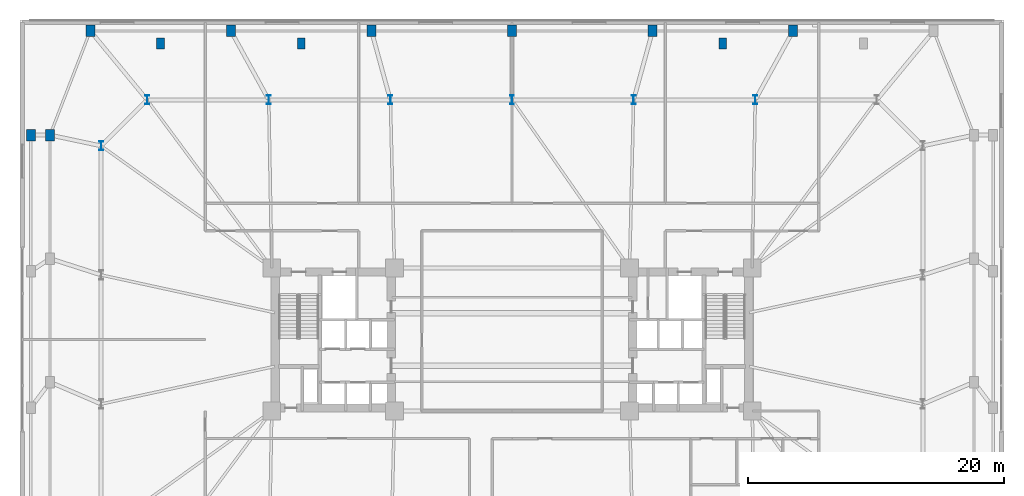
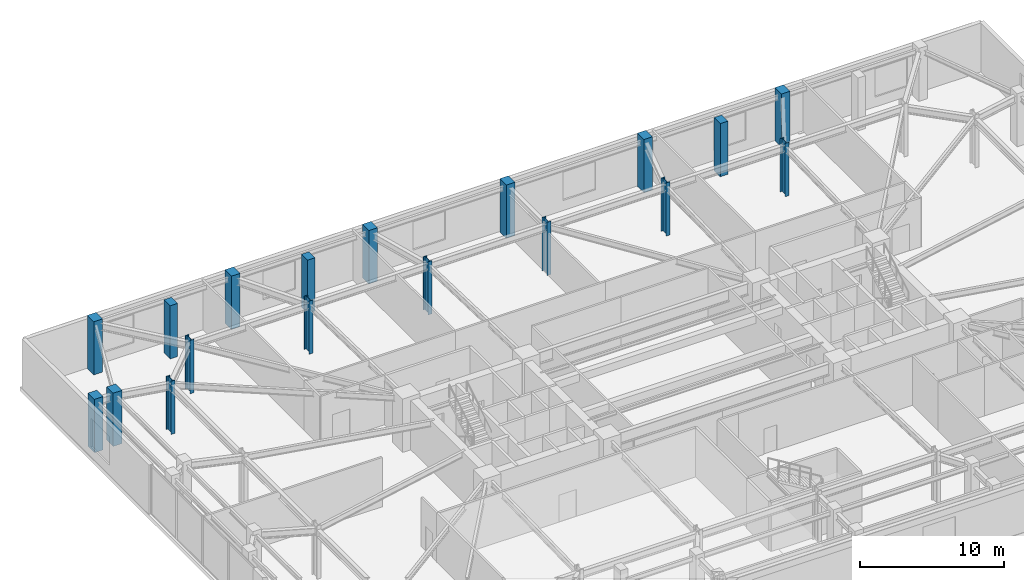
# One storey, part 2 of 23: 18 columns.
"""IFC4 building model written with IfcOpenShell, lengths in metres."""

from ifc_helpers import new_model, si_unit, direction, frame, origin, origin_2d, place, context, subcontext, project, spatial, rectangle, i_section, extrude, material, material_profile, profile_set, type_object, element, save


model = new_model("IFC4")

# Units and contexts
model_context = context("Model", 3, precision=1e-05, world=origin(), true_north=direction((0.0, 1.0)))
body_context = subcontext(model_context, "Body", "Model", "MODEL_VIEW")
ifc_project = project(units=[si_unit("LENGTHUNIT", "METRE"), si_unit("AREAUNIT", "SQUARE_METRE"), si_unit("VOLUMEUNIT", "CUBIC_METRE"), si_unit("PLANEANGLEUNIT", "RADIAN"), si_unit("MASSUNIT", "GRAM", prefix="KILO")], contexts=[model_context])

# Site, building, storey
site_placement = place(None, origin())
site = spatial("IfcSite", under=ifc_project, at=site_placement, CompositionType="ELEMENT")
building_placement = place(site_placement, origin())
building = spatial("IfcBuilding", under=site, at=building_placement, Name="Qobustan Lattice House", CompositionType="ELEMENT")
storey_placement = place(building_placement, frame((0.0, 0.0, 9.0)))
storey = spatial("IfcBuildingStorey", under=building, at=storey_placement, Name="L02", CompositionType="ELEMENT", Elevation=9.0)

# Columns
ifc_material_1 = material(Name="Concrete C50/60", Category="concrete")
ifc_material_profile_1 = material_profile(ifc_material_1, rectangle(XDim=0.60009765625, YDim=0.85009765625, at=origin_2d()), Name="RC600x850")
ifc_profile_set_1 = profile_set([ifc_material_profile_1], Name="Concrete C50/60")
column_type_1 = type_object("IfcColumnType", Name="COL-PIL-600x850", PredefinedType="PILASTER", material=ifc_profile_set_1)
for number, where, z_axis, x_axis, name in (
    (1, (-27.5, 23.14990234375, 0.0), (0.0, 0.0, 1.0), (1.0, 0.0, 0.0), "L02 colonnade pilaster N1"),
    (2, (-16.5, 23.14990234375, 0.0), (0.0, 0.0, 1.0), (1.0, 0.0, 0.0), "L02 colonnade pilaster N2"),
    (3, (16.5, 23.14990234375, 0.0), (0.0, 0.0, 1.0), (1.0, 0.0, 0.0), "L02 colonnade pilaster N3"),
):
    element("IfcColumn", number, at=place(storey_placement, frame(where, z_axis=z_axis, x_axis=x_axis)), inside=storey, type_object=column_type_1, Name=name, PredefinedType="PILASTER", context=body_context, shape_type="SweptSolid", body=[
        extrude(rectangle(XDim=0.60009765625, YDim=0.85009765625, at=origin_2d()), origin(), (0.0, 0.0, 1.0), 4.5),
    ])
ifc_material_2 = material(Name="Concrete C50/60", Category="concrete")
ifc_material_profile_2 = material_profile(ifc_material_2, rectangle(XDim=0.699951171875, YDim=0.89990234375, at=origin_2d()), Name="RC700x900")
ifc_profile_set_2 = profile_set([ifc_material_profile_2], Name="Concrete C50/60")
column_type_2 = type_object("IfcColumnType", Name="COL-RC-700x900", PredefinedType="COLUMN", material=ifc_profile_set_2)
for number, where, z_axis, x_axis, name in (
    (4, (-33.0, 24.14990234375, 0.0), (0.0, 0.0, 1.0), (1.0, 0.0, 0.0), "L02 podium column PN1"),
    (5, (-22.0, 24.14990234375, 0.0), (0.0, 0.0, 1.0), (1.0, 0.0, 0.0), "L02 podium column PN2"),
    (6, (-11.0, 24.14990234375, 0.0), (0.0, 0.0, 1.0), (1.0, 0.0, 0.0), "L02 podium column PN3"),
    (7, (0.0, 24.14990234375, 0.0), (0.0, 0.0, 1.0), (1.0, 0.0, 0.0), "L02 podium column PN4"),
    (8, (11.0, 24.14990234375, 0.0), (0.0, 0.0, 1.0), (1.0, 0.0, 0.0), "L02 podium column PN5"),
    (9, (22.0, 24.14990234375, 0.0), (0.0, 0.0, 1.0), (1.0, 0.0, 0.0), "L02 podium column PN6"),
    (10, (-36.14990234375, 16.0, 0.0), (0.0, 0.0, 1.0), (1.0, 0.0, 0.0), "L02 podium column PW4"),
    (11, (-37.64990234375, 16.0, 0.0), (0.0, 0.0, 1.0), (1.0, 0.0, 0.0), "L02 lower podium perimeter column PWL4"),
):
    element("IfcColumn", number, at=place(storey_placement, frame(where, z_axis=z_axis, x_axis=x_axis)), inside=storey, type_object=column_type_2, Name=name, PredefinedType="COLUMN", context=body_context, shape_type="SweptSolid", body=[
        extrude(rectangle(XDim=0.699951171875, YDim=0.89990234375, at=origin_2d()), origin(), (0.0, 0.0, 1.0), 4.5),
    ])
ifc_material_3 = material(Name="Steel S460", Category="steel")
ifc_material_profile_3 = material_profile(ifc_material_3, i_section(OverallWidth=0.303955078125, OverallDepth=0.716064453125, WebThickness=0.02099609375, FlangeThickness=0.0400390625, FilletRadius=0.027099609375, at=origin_2d()), Name="HEM700")
ifc_profile_set_3 = profile_set([ifc_material_profile_3], Name="Steel S460")
column_type_3 = type_object("IfcColumnType", Name="COL-ST-HEM700", PredefinedType="COLUMN", material=ifc_profile_set_3)
for number, where, z_axis, x_axis, name in (
    (12, (19.033203125, 18.75, 0.0), (0.0, 0.0, 1.0), (1.0, 0.0, 0.0), "L02 tower base column N2"),
    (13, (9.5166015625, 18.75, 0.0), (0.0, 0.0, 1.0), (1.0, 0.0, 0.0), "L02 tower base column N3"),
    (14, (0.0, 18.75, 0.0), (0.0, 0.0, 1.0), (1.0, 0.0, 0.0), "L02 tower base column N4"),
    (15, (-9.5166015625, 18.75, 0.0), (0.0, 0.0, 1.0), (1.0, 0.0, 0.0), "L02 tower base column N5"),
    (16, (-19.033203125, 18.75, 0.0), (0.0, 0.0, 1.0), (1.0, 0.0, 0.0), "L02 tower base column N6"),
    (17, (-28.550048828125, 18.75, 0.0), (0.0, 0.0, 1.0), (1.0, 0.0, 0.0), "L02 tower base column N7"),
    (18, (-32.14990234375, 15.14990234375, 0.0), (0.0, 0.0, 1.0), (1.0, 0.0, 0.0), "L02 tower base column W1"),
):
    element("IfcColumn", number, at=place(storey_placement, frame(where, z_axis=z_axis, x_axis=x_axis)), inside=storey, type_object=column_type_3, Name=name, PredefinedType="COLUMN", context=body_context, shape_type="SweptSolid", body=[
        extrude(i_section(OverallWidth=0.303955078125, OverallDepth=0.716064453125, WebThickness=0.02099609375, FlangeThickness=0.0400390625, FilletRadius=0.027099609375, at=origin_2d()), origin(), (0.0, 0.0, 1.0), 4.5),
    ])

save(model, "model.ifc")
